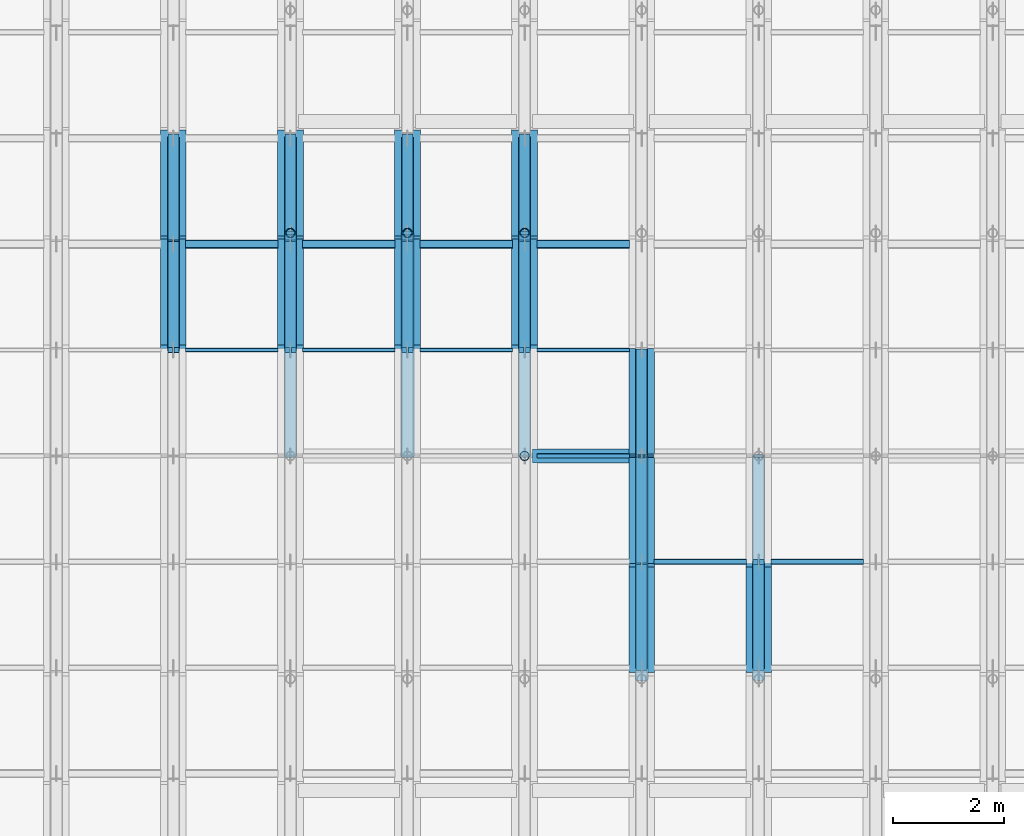
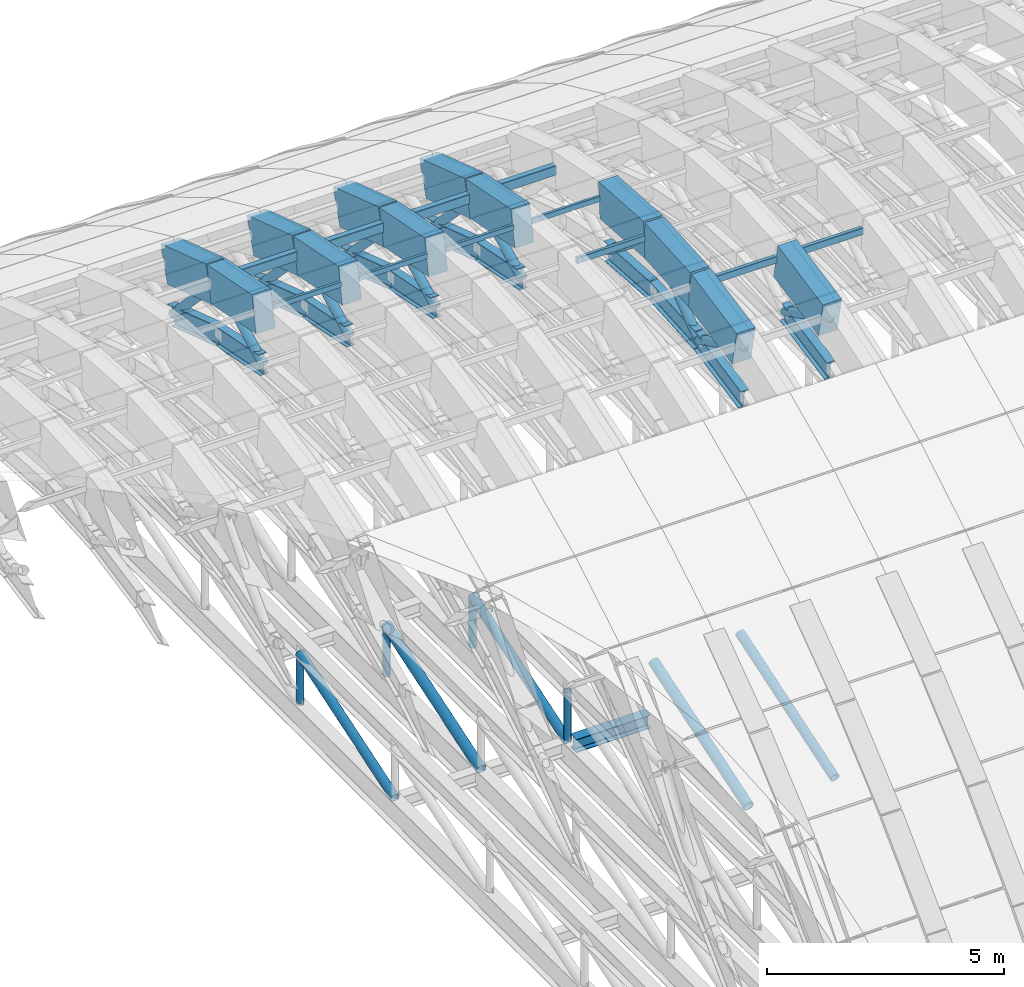
# One storey, part 20 of 67: 32 members, 25 beams.
"""IFC4 building model written with IfcOpenShell, lengths in metres."""

from ifc_helpers import new_model, si_unit, direction, frame, origin, origin_2d, place, context, subcontext, project, spatial, rectangle, hollow_rectangle, hollow_circle, i_section, extrude, material, material_profile, profile_set, type_object, element, save


model = new_model("IFC4")

# Units and contexts
model_context = context("Model", 3, precision=1e-05, world=origin(), true_north=direction((0.0, 1.0)))
body_context = subcontext(model_context, "Body", "Model", "MODEL_VIEW")
ifc_project = project(units=[si_unit("LENGTHUNIT", "METRE"), si_unit("AREAUNIT", "SQUARE_METRE"), si_unit("VOLUMEUNIT", "CUBIC_METRE"), si_unit("PLANEANGLEUNIT", "RADIAN"), si_unit("MASSUNIT", "GRAM", prefix="KILO")], contexts=[model_context])

# Site, building, storey
site_placement = place(None, origin())
site = spatial("IfcSite", under=ifc_project, at=site_placement, CompositionType="ELEMENT")
building_placement = place(site_placement, origin())
building = spatial("IfcBuilding", under=site, at=building_placement, Name="Shengluoqiao Park Theatre", CompositionType="ELEMENT")
storey_placement = place(building_placement, frame((0.0, 0.0, 28.60009765625)))
storey = spatial("IfcBuildingStorey", under=building, at=storey_placement, Name="Roof", CompositionType="ELEMENT", Elevation=28.60009765625)

# Beams
ifc_material_1 = material(Name="Concrete C50", Category="concrete")
ifc_material_profile_1 = material_profile(ifc_material_1, rectangle(XDim=0.4599609375, YDim=0.919921875, at=origin_2d()), Name="RC ARCH 460x920")
ifc_profile_set_1 = profile_set([ifc_material_profile_1], Name="Concrete C50")
beam_type_1 = type_object("IfcBeamType", Name="STR-BM-AR-4609", PredefinedType="BEAM", material=ifc_profile_set_1)
beam_1_placement = place(storey_placement, frame((61.199951171875, 96.89990234375, 2.453857421875), z_axis=(0.0, 0.980788534345, -0.195073962632), x_axis=(-1.0, 0.0, 0.0)))
element("IfcBeam", 1, at=beam_1_placement, inside=storey, type_object=beam_type_1, Name="Barrel-Shell Arch Rib R09-S12", PredefinedType="BEAM", context=body_context, shape_type="SweptSolid", body=[
    extrude(rectangle(XDim=0.4599609375, YDim=0.919921875, at=origin_2d()), origin(), (0.0, 0.0, 1.0), 1.937255859375),
])
beam_2_placement = place(storey_placement, frame((61.199951171875, 98.800048828125, 2.075927734375), z_axis=(0.0, 0.949157901431, -0.314800378257), x_axis=(-1.0, 0.0, 0.0)))
element("IfcBeam", 2, at=beam_2_placement, inside=storey, type_object=beam_type_1, Name="Barrel-Shell Arch Rib R09-S13", PredefinedType="BEAM", context=body_context, shape_type="SweptSolid", body=[
    extrude(rectangle(XDim=0.4599609375, YDim=0.919921875, at=origin_2d()), origin(), (0.0, 0.0, 1.0), 2.001708984375),
])
beam_3_placement = place(storey_placement, frame((63.300048828125, 96.89990234375, 2.453857421875), z_axis=(0.0, 0.980788534345, -0.195073962632), x_axis=(-1.0, 0.0, 0.0)))
element("IfcBeam", 3, at=beam_3_placement, inside=storey, type_object=beam_type_1, Name="Barrel-Shell Arch Rib R10-S12", PredefinedType="BEAM", context=body_context, shape_type="SweptSolid", body=[
    extrude(rectangle(XDim=0.4599609375, YDim=0.919921875, at=origin_2d()), origin(), (0.0, 0.0, 1.0), 1.937255859375),
])
beam_4_placement = place(storey_placement, frame((63.300048828125, 98.800048828125, 2.075927734375), z_axis=(0.0, 0.949157901431, -0.314800378257), x_axis=(-1.0, 0.0, 0.0)))
element("IfcBeam", 4, at=beam_4_placement, inside=storey, type_object=beam_type_1, Name="Barrel-Shell Arch Rib R10-S13", PredefinedType="BEAM", context=body_context, shape_type="SweptSolid", body=[
    extrude(rectangle(XDim=0.4599609375, YDim=0.919921875, at=origin_2d()), origin(), (0.0, 0.0, 1.0), 2.001708984375),
])
beam_5_placement = place(storey_placement, frame((65.39990234375, 96.89990234375, 2.453857421875), z_axis=(0.0, 0.980788534345, -0.195073962632), x_axis=(-1.0, 0.0, 0.0)))
element("IfcBeam", 5, at=beam_5_placement, inside=storey, type_object=beam_type_1, Name="Barrel-Shell Arch Rib R11-S12", PredefinedType="BEAM", context=body_context, shape_type="SweptSolid", body=[
    extrude(rectangle(XDim=0.4599609375, YDim=0.919921875, at=origin_2d()), origin(), (0.0, 0.0, 1.0), 1.937255859375),
])
beam_6_placement = place(storey_placement, frame((65.39990234375, 98.800048828125, 2.075927734375), z_axis=(0.0, 0.949157901431, -0.314800378257), x_axis=(-1.0, 0.0, 0.0)))
element("IfcBeam", 6, at=beam_6_placement, inside=storey, type_object=beam_type_1, Name="Barrel-Shell Arch Rib R11-S13", PredefinedType="BEAM", context=body_context, shape_type="SweptSolid", body=[
    extrude(rectangle(XDim=0.4599609375, YDim=0.919921875, at=origin_2d()), origin(), (0.0, 0.0, 1.0), 2.001708984375),
])
beam_7_placement = place(storey_placement, frame((67.5, 96.89990234375, 2.453857421875), z_axis=(0.0, 0.980788534345, -0.195073962632), x_axis=(-1.0, 0.0, 0.0)))
element("IfcBeam", 7, at=beam_7_placement, inside=storey, type_object=beam_type_1, Name="Barrel-Shell Arch Rib R12-S12", PredefinedType="BEAM", context=body_context, shape_type="SweptSolid", body=[
    extrude(rectangle(XDim=0.4599609375, YDim=0.919921875, at=origin_2d()), origin(), (0.0, 0.0, 1.0), 1.937255859375),
])
beam_8_placement = place(storey_placement, frame((67.5, 98.800048828125, 2.075927734375), z_axis=(0.0, 0.949157901431, -0.314800378257), x_axis=(-1.0, 0.0, 0.0)))
element("IfcBeam", 8, at=beam_8_placement, inside=storey, type_object=beam_type_1, Name="Barrel-Shell Arch Rib R12-S13", PredefinedType="BEAM", context=body_context, shape_type="SweptSolid", body=[
    extrude(rectangle(XDim=0.4599609375, YDim=0.919921875, at=origin_2d()), origin(), (0.0, 0.0, 1.0), 2.001708984375),
])
beam_9_placement = place(storey_placement, frame((69.60009765625, 91.199951171875, 2.075927734375), z_axis=(0.0, 0.980788534345, 0.195073962632), x_axis=(-1.0, 0.0, 0.0)))
element("IfcBeam", 9, at=beam_9_placement, inside=storey, type_object=beam_type_1, Name="Barrel-Shell Arch Rib R13-S09", PredefinedType="BEAM", context=body_context, shape_type="SweptSolid", body=[
    extrude(rectangle(XDim=0.4599609375, YDim=0.919921875, at=origin_2d()), origin(), (0.0, 0.0, 1.0), 1.937255859375),
])
for number, where, z_axis, x_axis, name in (
    (10, (69.60009765625, 93.10009765625, 2.453857421875), (0.0, 0.997808922354, 0.066161578506), (-1.0, 0.0, 0.0), "Barrel-Shell Arch Rib R13-S10"),
    (11, (69.60009765625, 95.0, 2.579833984375), (0.0, 0.997808922354, -0.066161578506), (-1.0, 0.0, 0.0), "Barrel-Shell Arch Rib R13-S11"),
):
    element("IfcBeam", number, at=place(storey_placement, frame(where, z_axis=z_axis, x_axis=x_axis)), inside=storey, type_object=beam_type_1, Name=name, PredefinedType="BEAM", context=body_context, shape_type="SweptSolid", body=[
        extrude(rectangle(XDim=0.4599609375, YDim=0.919921875, at=origin_2d()), origin(), (0.0, 0.0, 1.0), 1.904052734375),
    ])
beam_10_placement = place(storey_placement, frame((71.699951171875, 91.199951171875, 2.075927734375), z_axis=(0.0, 0.980788534345, 0.195073962632), x_axis=(-1.0, 0.0, 0.0)))
element("IfcBeam", 12, at=beam_10_placement, inside=storey, type_object=beam_type_1, Name="Barrel-Shell Arch Rib R14-S09", PredefinedType="BEAM", context=body_context, shape_type="SweptSolid", body=[
    extrude(rectangle(XDim=0.4599609375, YDim=0.919921875, at=origin_2d()), origin(), (0.0, 0.0, 1.0), 1.937255859375),
])
ifc_material_2 = material(Name="Steel Q355", Category="steel")
ifc_material_profile_2 = material_profile(ifc_material_2, i_section(OverallWidth=0.25, OverallDepth=0.340087890625, WebThickness=0.009033203125, FlangeThickness=0.013916015625, FilletRadius=0.01611328125, at=origin_2d()), Name="HM 340x250x9x14")
ifc_profile_set_2 = profile_set([ifc_material_profile_2], Name="Steel Q355")
beam_type_2 = type_object("IfcBeamType", Name="STR-BM-G-HM340", PredefinedType="BEAM", material=ifc_profile_set_2)
beam_11_placement = place(storey_placement, frame((67.64404296875, 95.0, -9.77001953125), z_axis=(1.0, 0.0, 0.0), x_axis=(0.0, 1.0, 0.0)))
element("IfcBeam", 13, at=beam_11_placement, inside=storey, type_object=beam_type_2, Name="Auditorium Overhead Catwalk Girder R12-3", PredefinedType="BEAM", context=body_context, shape_type="SweptSolid", body=[
    extrude(i_section(OverallWidth=0.25, OverallDepth=0.340087890625, WebThickness=0.009033203125, FlangeThickness=0.013916015625, FilletRadius=0.01611328125, at=origin_2d()), origin(), (0.0, 0.0, 1.0), 1.81201171875),
])
ifc_material_profile_3 = material_profile(ifc_material_2, i_section(OverallWidth=0.199951171875, OverallDepth=0.5, WebThickness=0.010009765625, FlangeThickness=0.01611328125, FilletRadius=0.01806640625, at=origin_2d()), Name="HN 500x200x10x16")
ifc_profile_set_3 = profile_set([ifc_material_profile_3], Name="Steel Q355")
beam_type_3 = type_object("IfcBeamType", Name="STR-BM-J-HN500", PredefinedType="JOIST", material=ifc_profile_set_3)
beam_12_placement = place(storey_placement, frame((61.199951171875, 96.89990234375, 1.093994140625), z_axis=(0.0, 0.980764417124, -0.19519517951), x_axis=(-1.0, 0.0, 0.0)))
element("IfcBeam", 14, at=beam_12_placement, inside=storey, type_object=beam_type_3, Name="Barrel-Shell Lower Arch Chord R09-S12", PredefinedType="JOIST", context=body_context, shape_type="SweptSolid", body=[
    extrude(i_section(OverallWidth=0.199951171875, OverallDepth=0.5, WebThickness=0.010009765625, FlangeThickness=0.01611328125, FilletRadius=0.01806640625, at=origin_2d()), origin(), (0.0, 0.0, 1.0), 1.9375),
])
beam_13_placement = place(storey_placement, frame((61.199951171875, 98.800048828125, 0.7158203125), z_axis=(0.0, 0.949194340043, -0.314690490531), x_axis=(-1.0, 0.0, 0.0)))
element("IfcBeam", 15, at=beam_13_placement, inside=storey, type_object=beam_type_3, Name="Barrel-Shell Lower Arch Chord R09-S13", PredefinedType="JOIST", context=body_context, shape_type="SweptSolid", body=[
    extrude(i_section(OverallWidth=0.199951171875, OverallDepth=0.5, WebThickness=0.010009765625, FlangeThickness=0.01611328125, FilletRadius=0.01806640625, at=origin_2d()), origin(), (0.0, 0.0, 1.0), 2.001708984375),
])
beam_14_placement = place(storey_placement, frame((63.300048828125, 96.89990234375, 1.093994140625), z_axis=(0.0, 0.980764417124, -0.19519517951), x_axis=(-1.0, 0.0, 0.0)))
element("IfcBeam", 16, at=beam_14_placement, inside=storey, type_object=beam_type_3, Name="Barrel-Shell Lower Arch Chord R10-S12", PredefinedType="JOIST", context=body_context, shape_type="SweptSolid", body=[
    extrude(i_section(OverallWidth=0.199951171875, OverallDepth=0.5, WebThickness=0.010009765625, FlangeThickness=0.01611328125, FilletRadius=0.01806640625, at=origin_2d()), origin(), (0.0, 0.0, 1.0), 1.9375),
])
beam_15_placement = place(storey_placement, frame((63.300048828125, 98.800048828125, 0.7158203125), z_axis=(0.0, 0.949194340043, -0.314690490531), x_axis=(-1.0, 0.0, 0.0)))
element("IfcBeam", 17, at=beam_15_placement, inside=storey, type_object=beam_type_3, Name="Barrel-Shell Lower Arch Chord R10-S13", PredefinedType="JOIST", context=body_context, shape_type="SweptSolid", body=[
    extrude(i_section(OverallWidth=0.199951171875, OverallDepth=0.5, WebThickness=0.010009765625, FlangeThickness=0.01611328125, FilletRadius=0.01806640625, at=origin_2d()), origin(), (0.0, 0.0, 1.0), 2.001708984375),
])
beam_16_placement = place(storey_placement, frame((65.39990234375, 96.89990234375, 1.093994140625), z_axis=(0.0, 0.980764417124, -0.19519517951), x_axis=(-1.0, 0.0, 0.0)))
element("IfcBeam", 18, at=beam_16_placement, inside=storey, type_object=beam_type_3, Name="Barrel-Shell Lower Arch Chord R11-S12", PredefinedType="JOIST", context=body_context, shape_type="SweptSolid", body=[
    extrude(i_section(OverallWidth=0.199951171875, OverallDepth=0.5, WebThickness=0.010009765625, FlangeThickness=0.01611328125, FilletRadius=0.01806640625, at=origin_2d()), origin(), (0.0, 0.0, 1.0), 1.9375),
])
beam_17_placement = place(storey_placement, frame((65.39990234375, 98.800048828125, 0.7158203125), z_axis=(0.0, 0.949194340043, -0.314690490531), x_axis=(-1.0, 0.0, 0.0)))
element("IfcBeam", 19, at=beam_17_placement, inside=storey, type_object=beam_type_3, Name="Barrel-Shell Lower Arch Chord R11-S13", PredefinedType="JOIST", context=body_context, shape_type="SweptSolid", body=[
    extrude(i_section(OverallWidth=0.199951171875, OverallDepth=0.5, WebThickness=0.010009765625, FlangeThickness=0.01611328125, FilletRadius=0.01806640625, at=origin_2d()), origin(), (0.0, 0.0, 1.0), 2.001708984375),
])
beam_18_placement = place(storey_placement, frame((67.5, 96.89990234375, 1.093994140625), z_axis=(0.0, 0.980764417124, -0.19519517951), x_axis=(-1.0, 0.0, 0.0)))
element("IfcBeam", 20, at=beam_18_placement, inside=storey, type_object=beam_type_3, Name="Barrel-Shell Lower Arch Chord R12-S12", PredefinedType="JOIST", context=body_context, shape_type="SweptSolid", body=[
    extrude(i_section(OverallWidth=0.199951171875, OverallDepth=0.5, WebThickness=0.010009765625, FlangeThickness=0.01611328125, FilletRadius=0.01806640625, at=origin_2d()), origin(), (0.0, 0.0, 1.0), 1.9375),
])
beam_19_placement = place(storey_placement, frame((67.5, 98.800048828125, 0.7158203125), z_axis=(0.0, 0.949194340043, -0.314690490531), x_axis=(-1.0, 0.0, 0.0)))
element("IfcBeam", 21, at=beam_19_placement, inside=storey, type_object=beam_type_3, Name="Barrel-Shell Lower Arch Chord R12-S13", PredefinedType="JOIST", context=body_context, shape_type="SweptSolid", body=[
    extrude(i_section(OverallWidth=0.199951171875, OverallDepth=0.5, WebThickness=0.010009765625, FlangeThickness=0.01611328125, FilletRadius=0.01806640625, at=origin_2d()), origin(), (0.0, 0.0, 1.0), 2.001708984375),
])
beam_20_placement = place(storey_placement, frame((69.60009765625, 91.199951171875, 0.7158203125), z_axis=(0.0, 0.980764417124, 0.19519517951), x_axis=(-1.0, 0.0, 0.0)))
element("IfcBeam", 22, at=beam_20_placement, inside=storey, type_object=beam_type_3, Name="Barrel-Shell Lower Arch Chord R13-S09", PredefinedType="JOIST", context=body_context, shape_type="SweptSolid", body=[
    extrude(i_section(OverallWidth=0.199951171875, OverallDepth=0.5, WebThickness=0.010009765625, FlangeThickness=0.01611328125, FilletRadius=0.01806640625, at=origin_2d()), origin(), (0.0, 0.0, 1.0), 1.9375),
])
for number, where, z_axis, x_axis, name in (
    (23, (69.60009765625, 93.10009765625, 1.093994140625), (0.0, 0.997808922354, 0.066161578506), (-1.0, 0.0, 0.0), "Barrel-Shell Lower Arch Chord R13-S10"),
    (24, (69.60009765625, 95.0, 1.219970703125), (0.0, 0.997808922354, -0.066161578506), (-1.0, 0.0, 0.0), "Barrel-Shell Lower Arch Chord R13-S11"),
):
    element("IfcBeam", number, at=place(storey_placement, frame(where, z_axis=z_axis, x_axis=x_axis)), inside=storey, type_object=beam_type_3, Name=name, PredefinedType="JOIST", context=body_context, shape_type="SweptSolid", body=[
        extrude(i_section(OverallWidth=0.199951171875, OverallDepth=0.5, WebThickness=0.010009765625, FlangeThickness=0.01611328125, FilletRadius=0.01806640625, at=origin_2d()), origin(), (0.0, 0.0, 1.0), 1.904052734375),
    ])
beam_21_placement = place(storey_placement, frame((71.699951171875, 91.199951171875, 0.7158203125), z_axis=(0.0, 0.980764417124, 0.19519517951), x_axis=(-1.0, 0.0, 0.0)))
element("IfcBeam", 25, at=beam_21_placement, inside=storey, type_object=beam_type_3, Name="Barrel-Shell Lower Arch Chord R14-S09", PredefinedType="JOIST", context=body_context, shape_type="SweptSolid", body=[
    extrude(i_section(OverallWidth=0.199951171875, OverallDepth=0.5, WebThickness=0.010009765625, FlangeThickness=0.01611328125, FilletRadius=0.01806640625, at=origin_2d()), origin(), (0.0, 0.0, 1.0), 1.9375),
])

# Members
ifc_material_profile_4 = material_profile(ifc_material_2, hollow_circle(Radius=0.109619140625, WallThickness=0.010009765625, at=origin_2d()), Name="CHS 219x10")
ifc_profile_set_4 = profile_set([ifc_material_profile_4], Name="Steel Q355")
member_type_1 = type_object("IfcMemberType", Name="STR-MEM-BRC-219", PredefinedType="BRACE", material=ifc_profile_set_4)
member_1_placement = place(storey_placement, frame((61.199951171875, 96.89990234375, 1.093994140625), z_axis=(0.0, 0.888389440766, 0.459090624535), x_axis=(-1.0, 0.0, 0.0)))
element("IfcMember", 26, at=member_1_placement, inside=storey, type_object=member_type_1, Name="Barrel-Shell Arch Truss Web 0172", PredefinedType="BRACE", context=body_context, shape_type="SweptSolid", body=[
    extrude(hollow_circle(Radius=0.109619140625, WallThickness=0.010009765625, at=origin_2d()), origin(), (0.0, 0.0, 1.0), 2.138916015625),
])
member_2_placement = place(storey_placement, frame((61.199951171875, 98.800048828125, 2.075927734375), z_axis=(0.0, 0.690545389436, -0.723289060562), x_axis=(-1.0, 0.0, 0.0)))
element("IfcMember", 27, at=member_2_placement, inside=storey, type_object=member_type_1, Name="Barrel-Shell Arch Truss Web 0173", PredefinedType="BRACE", context=body_context, shape_type="SweptSolid", body=[
    extrude(hollow_circle(Radius=0.109619140625, WallThickness=0.010009765625, at=origin_2d()), origin(), (0.0, 0.0, 1.0), 2.751220703125),
])
member_3_placement = place(storey_placement, frame((63.300048828125, 96.89990234375, 1.093994140625), z_axis=(0.0, 0.888389440766, 0.459090624535), x_axis=(-1.0, 0.0, 0.0)))
element("IfcMember", 28, at=member_3_placement, inside=storey, type_object=member_type_1, Name="Barrel-Shell Arch Truss Web 0192", PredefinedType="BRACE", context=body_context, shape_type="SweptSolid", body=[
    extrude(hollow_circle(Radius=0.109619140625, WallThickness=0.010009765625, at=origin_2d()), origin(), (0.0, 0.0, 1.0), 2.138916015625),
])
member_4_placement = place(storey_placement, frame((63.300048828125, 98.800048828125, 2.075927734375), z_axis=(0.0, 0.690545389436, -0.723289060562), x_axis=(-1.0, 0.0, 0.0)))
element("IfcMember", 29, at=member_4_placement, inside=storey, type_object=member_type_1, Name="Barrel-Shell Arch Truss Web 0193", PredefinedType="BRACE", context=body_context, shape_type="SweptSolid", body=[
    extrude(hollow_circle(Radius=0.109619140625, WallThickness=0.010009765625, at=origin_2d()), origin(), (0.0, 0.0, 1.0), 2.751220703125),
])
member_5_placement = place(storey_placement, frame((65.39990234375, 96.89990234375, 1.093994140625), z_axis=(0.0, 0.888389440766, 0.459090624535), x_axis=(-1.0, 0.0, 0.0)))
element("IfcMember", 30, at=member_5_placement, inside=storey, type_object=member_type_1, Name="Barrel-Shell Arch Truss Web 0212", PredefinedType="BRACE", context=body_context, shape_type="SweptSolid", body=[
    extrude(hollow_circle(Radius=0.109619140625, WallThickness=0.010009765625, at=origin_2d()), origin(), (0.0, 0.0, 1.0), 2.138916015625),
])
member_6_placement = place(storey_placement, frame((65.39990234375, 98.800048828125, 2.075927734375), z_axis=(0.0, 0.690545389436, -0.723289060562), x_axis=(-1.0, 0.0, 0.0)))
element("IfcMember", 31, at=member_6_placement, inside=storey, type_object=member_type_1, Name="Barrel-Shell Arch Truss Web 0213", PredefinedType="BRACE", context=body_context, shape_type="SweptSolid", body=[
    extrude(hollow_circle(Radius=0.109619140625, WallThickness=0.010009765625, at=origin_2d()), origin(), (0.0, 0.0, 1.0), 2.751220703125),
])
member_7_placement = place(storey_placement, frame((67.5, 96.89990234375, 1.093994140625), z_axis=(0.0, 0.888389440766, 0.459090624535), x_axis=(-1.0, 0.0, 0.0)))
element("IfcMember", 32, at=member_7_placement, inside=storey, type_object=member_type_1, Name="Barrel-Shell Arch Truss Web 0232", PredefinedType="BRACE", context=body_context, shape_type="SweptSolid", body=[
    extrude(hollow_circle(Radius=0.109619140625, WallThickness=0.010009765625, at=origin_2d()), origin(), (0.0, 0.0, 1.0), 2.138916015625),
])
member_8_placement = place(storey_placement, frame((67.5, 98.800048828125, 2.075927734375), z_axis=(0.0, 0.690545389436, -0.723289060562), x_axis=(-1.0, 0.0, 0.0)))
element("IfcMember", 33, at=member_8_placement, inside=storey, type_object=member_type_1, Name="Barrel-Shell Arch Truss Web 0233", PredefinedType="BRACE", context=body_context, shape_type="SweptSolid", body=[
    extrude(hollow_circle(Radius=0.109619140625, WallThickness=0.010009765625, at=origin_2d()), origin(), (0.0, 0.0, 1.0), 2.751220703125),
])
member_9_placement = place(storey_placement, frame((69.60009765625, 91.199951171875, 2.075927734375), z_axis=(0.0, 0.888389440766, -0.459090624535), x_axis=(-1.0, 0.0, 0.0)))
element("IfcMember", 34, at=member_9_placement, inside=storey, type_object=member_type_1, Name="Barrel-Shell Arch Truss Web 0249", PredefinedType="BRACE", context=body_context, shape_type="SweptSolid", body=[
    extrude(hollow_circle(Radius=0.109619140625, WallThickness=0.010009765625, at=origin_2d()), origin(), (0.0, 0.0, 1.0), 2.138916015625),
])
for number, where, z_axis, x_axis, name in (
    (35, (69.60009765625, 93.10009765625, 1.093994140625), (0.0, 0.787714283449, 0.616040751615), (-1.0, 0.0, 0.0), "Barrel-Shell Arch Truss Web 0250"),
    (36, (69.60009765625, 95.0, 2.579833984375), (0.0, 0.787714283449, -0.616040751615), (-1.0, 0.0, 0.0), "Barrel-Shell Arch Truss Web 0251"),
):
    element("IfcMember", number, at=place(storey_placement, frame(where, z_axis=z_axis, x_axis=x_axis)), inside=storey, type_object=member_type_1, Name=name, PredefinedType="BRACE", context=body_context, shape_type="SweptSolid", body=[
        extrude(hollow_circle(Radius=0.109619140625, WallThickness=0.010009765625, at=origin_2d()), origin(), (0.0, 0.0, 1.0), 2.411865234375),
    ])
member_10_placement = place(storey_placement, frame((71.699951171875, 91.199951171875, 2.075927734375), z_axis=(0.0, 0.888389440766, -0.459090624535), x_axis=(-1.0, 0.0, 0.0)))
element("IfcMember", 37, at=member_10_placement, inside=storey, type_object=member_type_1, Name="Barrel-Shell Arch Truss Web 0269", PredefinedType="BRACE", context=body_context, shape_type="SweptSolid", body=[
    extrude(hollow_circle(Radius=0.109619140625, WallThickness=0.010009765625, at=origin_2d()), origin(), (0.0, 0.0, 1.0), 2.138916015625),
])
for number, where, z_axis, x_axis, name in (
    (38, (63.300048828125, 95.0, -9.650146484375), (0.0, 0.951030656115, 0.309096572498), (-1.0, 0.0, 0.0), "Acoustic Tie Truss Diagonal 0014"),
    (39, (67.5, 95.0, -9.650146484375), (0.0, 0.951030656115, 0.309096572498), (-1.0, 0.0, 0.0), "Acoustic Tie Truss Diagonal 0048"),
    (40, (71.699951171875, 91.0, -9.650146484375), (0.0, 0.951030656115, 0.309096572498), (-1.0, 0.0, 0.0), "Acoustic Tie Truss Diagonal 0081"),
):
    element("IfcMember", number, at=place(storey_placement, frame(where, z_axis=z_axis, x_axis=x_axis)), inside=storey, type_object=member_type_1, Name=name, PredefinedType="BRACE", context=body_context, shape_type="SweptSolid", body=[
        extrude(hollow_circle(Radius=0.109619140625, WallThickness=0.010009765625, at=origin_2d()), origin(), (0.0, 0.0, 1.0), 4.2060546875),
    ])
ifc_material_profile_5 = material_profile(ifc_material_2, hollow_circle(Radius=0.12255859375, WallThickness=0.010009765625, at=origin_2d()), Name="CHS 245x10")
ifc_profile_set_5 = profile_set([ifc_material_profile_5], Name="Steel Q355")
member_type_2 = type_object("IfcMemberType", Name="STR-MEM-BRC-245", PredefinedType="BRACE", material=ifc_profile_set_5)
for number, where, z_axis, x_axis, name in (
    (41, (65.39990234375, 95.0, -9.650146484375), (0.0, 0.951030656115, 0.309096572498), (-1.0, 0.0, 0.0), "Acoustic Tie Truss Diagonal 0031"),
    (42, (69.60009765625, 91.0, -9.650146484375), (0.0, 0.951030656115, 0.309096572498), (-1.0, 0.0, 0.0), "Acoustic Tie Truss Diagonal 0064"),
):
    element("IfcMember", number, at=place(storey_placement, frame(where, z_axis=z_axis, x_axis=x_axis)), inside=storey, type_object=member_type_2, Name=name, PredefinedType="BRACE", context=body_context, shape_type="SweptSolid", body=[
        extrude(hollow_circle(Radius=0.12255859375, WallThickness=0.010009765625, at=origin_2d()), origin(), (0.0, 0.0, 1.0), 4.2060546875),
    ])
ifc_material_profile_6 = material_profile(ifc_material_2, hollow_rectangle(XDim=0.070068359375, YDim=0.139892578125, WallThickness=0.006103515625, InnerFilletRadius=0.006103515625, OuterFilletRadius=0.011962890625, at=origin_2d()), Name="RHS 140x70x6")
ifc_profile_set_6 = profile_set([ifc_material_profile_6], Name="Steel Q355")
member_type_3 = type_object("IfcMemberType", Name="STR-MEM-PU-R140", PredefinedType="PURLIN", material=ifc_profile_set_6)
member_11_placement = place(storey_placement, frame((61.419921875, 96.89990234375, 2.50390625), z_axis=(1.0, 0.0, 0.0), x_axis=(0.0, 1.0, 0.0)))
element("IfcMember", 43, at=member_11_placement, inside=storey, type_object=member_type_3, Name="Shell Longitudinal Purlin 0163", PredefinedType="PURLIN", context=body_context, shape_type="SweptSolid", body=[
    extrude(hollow_rectangle(XDim=0.070068359375, YDim=0.139892578125, WallThickness=0.006103515625, InnerFilletRadius=0.006103515625, OuterFilletRadius=0.011962890625, at=origin_2d()), origin(), (0.0, 0.0, 1.0), 1.66015625),
])
for number, where, z_axis, x_axis, name in (
    (44, (63.52001953125, 96.89990234375, 2.50390625), (1.0, 0.0, 0.0), (0.0, 1.0, 0.0), "Shell Longitudinal Purlin 0182"),
    (45, (65.6201171875, 96.89990234375, 2.50390625), (1.0, 0.0, 0.0), (0.0, 1.0, 0.0), "Shell Longitudinal Purlin 0201"),
    (46, (67.719970703125, 96.89990234375, 2.50390625), (1.0, 0.0, 0.0), (0.0, 1.0, 0.0), "Shell Longitudinal Purlin 0220"),
):
    element("IfcMember", number, at=place(storey_placement, frame(where, z_axis=z_axis, x_axis=x_axis)), inside=storey, type_object=member_type_3, Name=name, PredefinedType="PURLIN", context=body_context, shape_type="SweptSolid", body=[
        extrude(hollow_rectangle(XDim=0.070068359375, YDim=0.139892578125, WallThickness=0.006103515625, InnerFilletRadius=0.006103515625, OuterFilletRadius=0.011962890625, at=origin_2d()), origin(), (0.0, 0.0, 1.0), 1.659912109375),
    ])
ifc_material_profile_7 = material_profile(ifc_material_2, hollow_rectangle(XDim=0.080078125, YDim=0.159912109375, WallThickness=0.006103515625, InnerFilletRadius=0.006103515625, OuterFilletRadius=0.011962890625, at=origin_2d()), Name="RHS 160x80x6")
ifc_profile_set_7 = profile_set([ifc_material_profile_7], Name="Steel Q355")
member_type_4 = type_object("IfcMemberType", Name="STR-MEM-PU-R160", PredefinedType="PURLIN", material=ifc_profile_set_7)
member_12_placement = place(storey_placement, frame((67.719970703125, 95.0, 2.639892578125), z_axis=(1.0, 0.0, 0.0), x_axis=(0.0, 1.0, 0.0)))
element("IfcMember", 47, at=member_12_placement, inside=storey, type_object=member_type_4, Name="Shell Longitudinal Purlin 0219", PredefinedType="PURLIN", context=body_context, shape_type="SweptSolid", body=[
    extrude(hollow_rectangle(XDim=0.080078125, YDim=0.159912109375, WallThickness=0.006103515625, InnerFilletRadius=0.006103515625, OuterFilletRadius=0.011962890625, at=origin_2d()), origin(), (0.0, 0.0, 1.0), 1.659912109375),
])
ifc_material_profile_8 = material_profile(ifc_material_2, hollow_rectangle(XDim=0.10009765625, YDim=0.179931640625, WallThickness=0.008056640625, InnerFilletRadius=0.008056640625, OuterFilletRadius=0.01611328125, at=origin_2d()), Name="RHS 180x100x8")
ifc_profile_set_8 = profile_set([ifc_material_profile_8], Name="Steel Q355")
member_type_5 = type_object("IfcMemberType", Name="STR-MEM-PU-R180", PredefinedType="PURLIN", material=ifc_profile_set_8)
member_13_placement = place(storey_placement, frame((69.820068359375, 93.10009765625, 2.513916015625), z_axis=(1.0, 0.0, 0.0), x_axis=(0.0, 1.0, 0.0)))
element("IfcMember", 48, at=member_13_placement, inside=storey, type_object=member_type_5, Name="Shell Longitudinal Purlin 0237", PredefinedType="PURLIN", context=body_context, shape_type="SweptSolid", body=[
    extrude(hollow_rectangle(XDim=0.10009765625, YDim=0.179931640625, WallThickness=0.008056640625, InnerFilletRadius=0.008056640625, OuterFilletRadius=0.01611328125, at=origin_2d()), origin(), (0.0, 0.0, 1.0), 1.659912109375),
])
member_14_placement = place(storey_placement, frame((71.919921875, 93.10009765625, 2.513916015625), z_axis=(1.0, 0.0, 0.0), x_axis=(0.0, 1.0, 0.0)))
element("IfcMember", 49, at=member_14_placement, inside=storey, type_object=member_type_5, Name="Shell Longitudinal Purlin 0256", PredefinedType="PURLIN", context=body_context, shape_type="SweptSolid", body=[
    extrude(hollow_rectangle(XDim=0.10009765625, YDim=0.179931640625, WallThickness=0.008056640625, InnerFilletRadius=0.008056640625, OuterFilletRadius=0.01611328125, at=origin_2d()), origin(), (0.0, 0.0, 1.0), 1.66015625),
])
ifc_material_profile_9 = material_profile(ifc_material_2, hollow_rectangle(XDim=0.14990234375, YDim=0.25, WallThickness=0.010009765625, InnerFilletRadius=0.010009765625, OuterFilletRadius=0.02001953125, at=origin_2d()), Name="RHS 250x150x10")
ifc_profile_set_9 = profile_set([ifc_material_profile_9], Name="Steel Q355")
member_type_6 = type_object("IfcMemberType", Name="STR-MEM-PU-R250", PredefinedType="PURLIN", material=ifc_profile_set_9)
member_15_placement = place(storey_placement, frame((61.419921875, 98.800048828125, 2.10595703125), z_axis=(1.0, 0.0, 0.0), x_axis=(0.0, 1.0, 0.0)))
element("IfcMember", 50, at=member_15_placement, inside=storey, type_object=member_type_6, Name="Shell Longitudinal Purlin 0164", PredefinedType="PURLIN", context=body_context, shape_type="SweptSolid", body=[
    extrude(hollow_rectangle(XDim=0.14990234375, YDim=0.25, WallThickness=0.010009765625, InnerFilletRadius=0.010009765625, OuterFilletRadius=0.02001953125, at=origin_2d()), origin(), (0.0, 0.0, 1.0), 1.66015625),
])
for number, where, z_axis, x_axis, name in (
    (51, (63.52001953125, 98.800048828125, 2.10595703125), (1.0, 0.0, 0.0), (0.0, 1.0, 0.0), "Shell Longitudinal Purlin 0183"),
    (52, (65.6201171875, 98.800048828125, 2.10595703125), (1.0, 0.0, 0.0), (0.0, 1.0, 0.0), "Shell Longitudinal Purlin 0202"),
    (53, (67.719970703125, 98.800048828125, 2.10595703125), (1.0, 0.0, 0.0), (0.0, 1.0, 0.0), "Shell Longitudinal Purlin 0221"),
):
    element("IfcMember", number, at=place(storey_placement, frame(where, z_axis=z_axis, x_axis=x_axis)), inside=storey, type_object=member_type_6, Name=name, PredefinedType="PURLIN", context=body_context, shape_type="SweptSolid", body=[
        extrude(hollow_rectangle(XDim=0.14990234375, YDim=0.25, WallThickness=0.010009765625, InnerFilletRadius=0.010009765625, OuterFilletRadius=0.02001953125, at=origin_2d()), origin(), (0.0, 0.0, 1.0), 1.659912109375),
    ])
ifc_material_profile_10 = material_profile(ifc_material_2, hollow_circle(Radius=0.083984375, WallThickness=0.008056640625, at=origin_2d()), Name="CHS 168x8")
ifc_profile_set_10 = profile_set([ifc_material_profile_10], Name="Steel Q355")
member_type_7 = type_object("IfcMemberType", Name="STR-MEM-STC-168", PredefinedType="STRUT", material=ifc_profile_set_10)
for number, where, z_axis, x_axis, name in (
    (54, (63.300048828125, 99.0, -9.650146484375), (0.0, 0.0, 1.0), (1.0, 0.0, 0.0), "Acoustic Tie Truss Strut 0006"),
    (55, (65.39990234375, 99.0, -9.650146484375), (0.0, 0.0, 1.0), (1.0, 0.0, 0.0), "Acoustic Tie Truss Strut 0023"),
    (56, (67.5, 95.0, -9.650146484375), (0.0, 0.0, 1.0), (1.0, 0.0, 0.0), "Acoustic Tie Truss Strut 0039"),
    (57, (67.5, 99.0, -9.650146484375), (0.0, 0.0, 1.0), (1.0, 0.0, 0.0), "Acoustic Tie Truss Strut 0040"),
):
    element("IfcMember", number, at=place(storey_placement, frame(where, z_axis=z_axis, x_axis=x_axis)), inside=storey, type_object=member_type_7, Name=name, PredefinedType="STRUT", context=body_context, shape_type="SweptSolid", body=[
        extrude(hollow_circle(Radius=0.083984375, WallThickness=0.008056640625, at=origin_2d()), origin(), (0.0, 0.0, 1.0), 1.300048828125),
    ])

save(model, "model.ifc")
